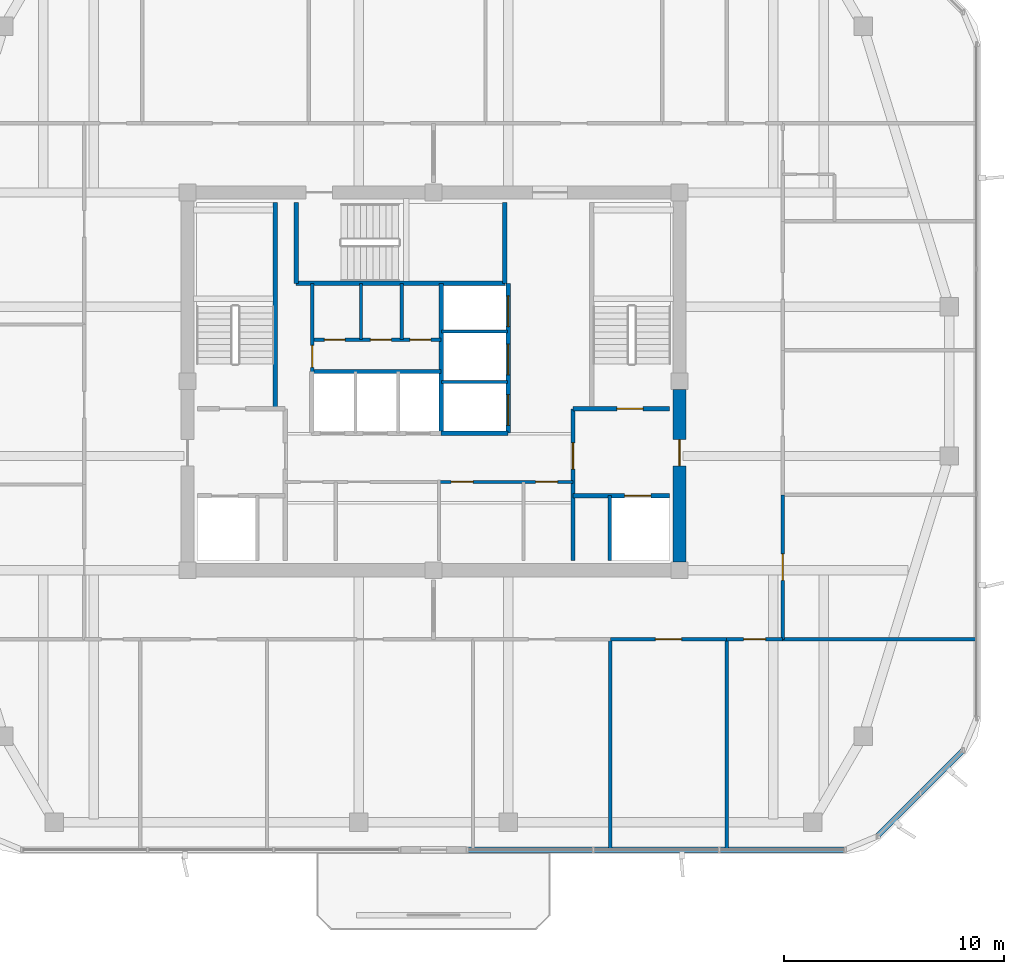
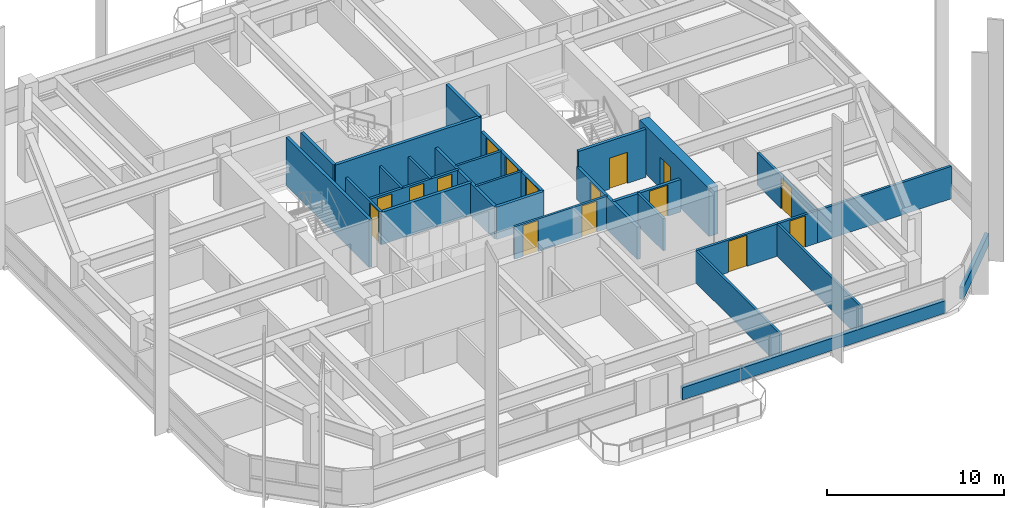
# One storey, part 8 of 13: 28 walls, 16 doors, 16 openings.
"""IFC4 building model written with IfcOpenShell, lengths in metres."""

import ifcopenshell
import ifcopenshell.guid

model = None  # the IFC model being written
_history = None  # IfcOwnerHistory: only IFC2X3 demands one
_inside = {}  # id of a spatial element -> (the spatial element, [elements in it])
_under = {}  # id of a project, library or spatial element -> (it, [spatial elements below it])
_declared = {}  # id of a project -> (the project, [libraries it declares])
_typed = {}  # id of a type object -> (the type object, [elements of that type])
_made_of = {}  # id of a material, layer set ... -> (it, [elements and type objects made of it])


def new_model(schema):
    """Start an empty IFC model of exactly this schema.

    Asked for "IFC4X3", IfcOpenShell would pick the latest addendum, in which some entities
    have other attributes; the version numbers below select the first issue.
    IFC2X3 requires an IfcOwnerHistory on every rooted entity: one is made here for all.
    """
    global model, _history
    if schema == "IFC4X3":
        model = ifcopenshell.file(schema_version=(4, 3, 0, 0))
    else:
        model = ifcopenshell.file(schema=schema)
    _inside.clear()
    _under.clear()
    _declared.clear()
    _typed.clear()
    _made_of.clear()
    _history = None
    if model.schema == "IFC2X3":
        org = make("IfcOrganization", Name="unknown")
        user = make(
            "IfcPersonAndOrganization",
            ThePerson=make("IfcPerson", FamilyName="unknown"),
            TheOrganization=org,
        )
        app = make(
            "IfcApplication",
            ApplicationDeveloper=org,
            Version="unknown",
            ApplicationFullName="unknown",
            ApplicationIdentifier="unknown",
        )
        _history = make(
            "IfcOwnerHistory",
            OwningUser=user,
            OwningApplication=app,
            ChangeAction="ADDED",
            CreationDate=0,
        )
    return model


def make(cls, **values):
    """One entity of the class cls with the attributes given. An attribute that is None is left unset."""
    return model.create_entity(
        cls, **{name: value for name, value in values.items() if value is not None}
    )


def rooted(cls, **values):
    """An entity with a GlobalId (a new one), such as an element, a storey or a relation."""
    return make(cls, GlobalId=ifcopenshell.guid.new(), OwnerHistory=_history, **values)


def si_unit(unit_type, name, prefix=None):
    """IfcSIUnit, for example si_unit("LENGTHUNIT", "METRE", prefix="MILLI")."""
    return make("IfcSIUnit", UnitType=unit_type, Prefix=prefix, Name=name)


def derived_unit(unit_type, elements):
    """IfcDerivedUnit: a product of units, each with its exponent."""
    return make(
        "IfcDerivedUnit",
        Elements=[
            make("IfcDerivedUnitElement", Unit=unit, Exponent=power)
            for unit, power in elements
        ],
        UnitType=unit_type,
    )


def assignment(units):
    """IfcUnitAssignment: the units of a project."""
    return None if units is None else make("IfcUnitAssignment", Units=units)


def point(xyz):
    """IfcCartesianPoint."""
    return None if xyz is None else make("IfcCartesianPoint", Coordinates=xyz)


def direction(xyz):
    """IfcDirection."""
    return None if xyz is None else make("IfcDirection", DirectionRatios=xyz)


def frame(location, z_axis=None, x_axis=None):
    """IfcAxis2Placement3D, a coordinate frame: its origin and axes. An axis left out is left unset."""
    return make(
        "IfcAxis2Placement3D",
        Location=point(location),
        Axis=direction(z_axis),
        RefDirection=direction(x_axis),
    )


def frame_2d(location, x_axis=None):
    """IfcAxis2Placement2D, a coordinate frame in the plane: its origin and x axis."""
    return make(
        "IfcAxis2Placement2D", Location=point(location), RefDirection=direction(x_axis)
    )


def origin():
    """The frame at (0, 0, 0) with its axes left unset."""
    return frame((0.0, 0.0, 0.0))


def place(relative_to, where):
    """IfcLocalPlacement: puts the frame where relative to a parent placement (None: the world)."""
    return make(
        "IfcLocalPlacement", PlacementRelTo=relative_to, RelativePlacement=where
    )


def context(
    kind, dimensions, precision=None, world=None, true_north=None, identifier=None
):
    """IfcGeometricRepresentationContext, for example the 3D "Model" context."""
    return make(
        "IfcGeometricRepresentationContext",
        ContextIdentifier=identifier,
        ContextType=kind,
        CoordinateSpaceDimension=dimensions,
        Precision=precision,
        WorldCoordinateSystem=world,
        TrueNorth=true_north,
    )


def subcontext(parent, identifier, kind, view, scale=None):
    """IfcGeometricRepresentationSubContext, for example "Body" below "Model"."""
    return make(
        "IfcGeometricRepresentationSubContext",
        ContextIdentifier=identifier,
        ContextType=kind,
        ParentContext=parent,
        TargetScale=scale,
        TargetView=view,
    )


def project(units=None, contexts=None):
    """IfcProject with its units and contexts."""
    return rooted(
        "IfcProject",
        Name="project",
        RepresentationContexts=contexts,
        UnitsInContext=assignment(units),
    )


def spatial(cls, under=None, at=None, **own):
    """A site, building, storey or space (cls), placed at a placement, below another one or the project."""
    s = rooted(cls, ObjectPlacement=at, **own)
    if under is not None:
        _under.setdefault(under.id(), (under, []))[1].append(s)
    return s


def profile(cls, at=None, kind="AREA", **sizes):
    """A parametric profile (cls). Its sizes go by their IFC names, for example OverallWidth=200.0."""
    return make(cls, ProfileType=kind, Position=at, **sizes)


def rectangle(**sizes):
    """IfcRectangleProfileDef."""
    return profile("IfcRectangleProfileDef", **sizes)


def extrude(swept, where, along, depth):
    """IfcExtrudedAreaSolid: the profile swept, set in the frame where, extruded along a direction by depth."""
    return make(
        "IfcExtrudedAreaSolid",
        SweptArea=swept,
        Position=where,
        ExtrudedDirection=direction(along),
        Depth=depth,
    )


def shape(context_of_items, identifier, shape_type, items):
    """IfcShapeRepresentation: the items that make up one representation, for example the "Body"."""
    return make(
        "IfcShapeRepresentation",
        ContextOfItems=context_of_items,
        RepresentationIdentifier=identifier,
        RepresentationType=shape_type,
        Items=items,
    )


def material(Name=None, Category=None):
    """IfcMaterial."""
    return make("IfcMaterial", Name=Name, Category=Category)


def layer(
    of_material, thickness, ventilated=None, Name=None, Category=None, Priority=None
):
    """IfcMaterialLayer: one layer of a wall or slab, of a material (None: an air gap)."""
    return make(
        "IfcMaterialLayer",
        Material=of_material,
        LayerThickness=thickness,
        IsVentilated=ventilated,
        Name=Name,
        Category=Category,
        Priority=Priority,
    )


def layer_set(layers, Name=None):
    """IfcMaterialLayerSet."""
    return make("IfcMaterialLayerSet", MaterialLayers=layers, LayerSetName=Name)


def made_of(thing, what):
    """Note that an element or type object is made of a material, layer set ...; save() writes the relation."""
    if what is not None:
        _made_of.setdefault(what.id(), (what, []))[1].append(thing)
    return thing


def type_object(cls, material=None, **own):
    """A type object (cls), such as IfcWallType, which elements share."""
    return made_of(rooted(cls, **own), material)


def element(
    cls,
    number,
    at=None,
    inside=None,
    cuts=None,
    type_object=None,
    material=None,
    context=None,
    identifier="Body",
    shape_type=None,
    held_by="IfcProductDefinitionShape",
    body=None,
    shapes=None,
    **own,
):
    """One element of the class cls, such as IfcWall. Its Tag is "e" and its number.

    at: its placement. inside: the storey or other place that contains it. cuts: it is an
    opening in that element (IfcRelVoidsElement). A single representation is given by context,
    identifier, shape_type and body (its items); several are given by shapes. held_by: the class
    of the entity that holds the representations. save() writes the other relations.
    """
    e = rooted(cls, Tag="e%d" % number, ObjectPlacement=at, **own)
    if body is not None:
        shapes = [shape(context, identifier, shape_type, body)]
    if shapes is not None:
        e.Representation = make(held_by, Representations=shapes)
    if inside is not None:
        _inside.setdefault(inside.id(), (inside, []))[1].append(e)
    if cuts is not None:
        rooted(
            "IfcRelVoidsElement", RelatingBuildingElement=cuts, RelatedOpeningElement=e
        )
    if type_object is not None:
        _typed.setdefault(type_object.id(), (type_object, []))[1].append(e)
    return made_of(e, material)


def fill(opening, filler):
    """IfcRelFillsElement: the door or window that sits in an opening."""
    return rooted(
        "IfcRelFillsElement",
        RelatingOpeningElement=opening,
        RelatedBuildingElement=filler,
    )


def aggregate(whole, parts):
    """IfcRelAggregates: a whole, such as a stair, and the parts it consists of."""
    return rooted("IfcRelAggregates", RelatingObject=whole, RelatedObjects=parts)


def save(model, path):
    """Write the relations noted so far, then the file.

    IfcRelAggregates (storeys below a building ...), IfcRelContainedInSpatialStructure (elements
    in a storey), IfcRelDefinesByType, IfcRelAssociatesMaterial and IfcRelDeclares: one each for
    every whole, place, type object, material and project.
    """
    for whole, parts in _under.values():
        aggregate(whole, parts)
    for where, things in _inside.values():
        rooted(
            "IfcRelContainedInSpatialStructure",
            RelatedElements=things,
            RelatingStructure=where,
        )
    for kind, things in _typed.values():
        rooted("IfcRelDefinesByType", RelatedObjects=things, RelatingType=kind)
    for what, things in _made_of.values():
        rooted("IfcRelAssociatesMaterial", RelatedObjects=things, RelatingMaterial=what)
    for by, libraries in _declared.values():
        rooted("IfcRelDeclares", RelatingContext=by, RelatedDefinitions=libraries)
    model.write(path)


model = new_model("IFC4")

# Units and contexts
model_context = context("Model", 3, precision=1e-05, world=origin(), true_north=direction((0.0, 1.0)))
body_context = subcontext(model_context, "Body", "Model", "MODEL_VIEW")
ifc_project = project(units=[si_unit("LENGTHUNIT", "METRE"), si_unit("AREAUNIT", "SQUARE_METRE"), si_unit("VOLUMEUNIT", "CUBIC_METRE"), si_unit("PLANEANGLEUNIT", "RADIAN"), si_unit("MASSUNIT", "GRAM", prefix="KILO"), derived_unit("THERMALTRANSMITTANCEUNIT", [(si_unit("POWERUNIT", "WATT"), 1), (si_unit("LENGTHUNIT", "METRE"), -2), (si_unit("THERMODYNAMICTEMPERATUREUNIT", "KELVIN"), -1)])], contexts=[model_context])

# Site, building, storey
site_placement = place(None, origin())
site = spatial("IfcSite", under=ifc_project, at=site_placement, CompositionType="ELEMENT")
building_placement = place(site_placement, origin())
building = spatial("IfcBuilding", under=site, at=building_placement, Name="Koralith Skygarden Medical Center", CompositionType="ELEMENT")
storey_placement = place(building_placement, frame((0.0, 0.0, 282.419921875)))
storey = spatial("IfcBuildingStorey", under=building, at=storey_placement, Name="L73", CompositionType="ELEMENT", Elevation=282.419921875)

# Wall, openings, doors
ifc_material_1 = material(Name="Gypsum Board Partition")
ifc_layer_1 = layer(ifc_material_1, 0.14990234375)
ifc_layer_set_1 = layer_set([ifc_layer_1], Name="Gypsum Board Partition")
wall_type_1 = type_object("IfcWallType", Name="Clinical Acoustic Partition 150", PredefinedType="PARTITIONING", material=ifc_layer_set_1)
wall_1_placement = place(storey_placement, frame((37.25, 21.320068359375, 0.0), z_axis=(0.0, 0.0, 1.0), x_axis=(1.0, 0.0, 0.0)))
wall_1 = element("IfcWall", 1, at=wall_1_placement, inside=storey, type_object=wall_type_1, Name="L73 Clinical Acoustic Partition 150 W-CORE-L73-FREED-MR-N", PredefinedType="PARTITIONING", context=body_context, shape_type="SweptSolid", body=[
    extrude(rectangle(XDim=6.10009765625, YDim=0.14990234375, at=frame_2d((3.050048828125, 0.0))), origin(), (0.0, 0.0, 1.0), 2.239990234375),
])
opening_1_placement = place(wall_1_placement, frame((0.550048828125, 0.0, 0.0)))
opening_1 = element("IfcOpeningElement", 2, at=opening_1_placement, cuts=wall_1, Name="Opening D-SUP", PredefinedType="OPENING", context=body_context, shape_type="SweptSolid", body=[
    extrude(rectangle(XDim=1.0, YDim=2.14990234375, at=frame_2d((0.5, 1.074951171875))), frame((0.0, 0.0849609375, 0.0), z_axis=(0.0, -1.0, 0.0), x_axis=(1.0, 0.0, 0.0)), (0.0, 0.0, 1.0), 0.169921875),
])
opening_2_placement = place(wall_1_placement, frame((4.39990234375, 0.0, 0.0)))
opening_2 = element("IfcOpeningElement", 3, at=opening_2_placement, cuts=wall_1, Name="Opening D-SUP", PredefinedType="OPENING", context=body_context, shape_type="SweptSolid", body=[
    extrude(rectangle(XDim=1.0, YDim=2.14990234375, at=frame_2d((0.5, 1.074951171875))), frame((0.0, 0.0849609375, 0.0), z_axis=(0.0, -1.0, 0.0), x_axis=(1.0, 0.0, 0.0)), (0.0, 0.0, 1.0), 0.169921875),
])
ifc_material_2 = material(Name="Aluminium 6063-T6", Category="aluminium")
door_type_1 = type_object("IfcDoorType", Name="Clinical Support Door D-SUP 1000", OperationType="NOTDEFINED", PredefinedType="DOOR", material=ifc_material_2)
door_1_placement = place(opening_1_placement, frame((1.0, 0.0, 0.0), z_axis=(0.0, 0.0, 1.0), x_axis=(-1.0, 0.0, 0.0)))
door_1 = element("IfcDoor", 4, at=door_1_placement, inside=storey, type_object=door_type_1, Name="L73 Satellite Pharmacy Door", OperationType="SINGLE_SWING_LEFT", OverallHeight=2.14990234375, OverallWidth=1.0, PredefinedType="DOOR", context=body_context, shape_type="SweptSolid", body=[
    extrude(rectangle(XDim=1.0, YDim=2.14990234375, at=frame_2d((0.5, 1.074951171875))), frame((0.0, 0.02490234375, 0.0), z_axis=(0.0, -1.0, 0.0), x_axis=(1.0, 0.0, 0.0)), (0.0, 0.0, 1.0), 0.050048828125),
])
fill(opening_1, door_1)
door_2_placement = place(opening_2_placement, frame((1.0, 0.0, 0.0), z_axis=(0.0, 0.0, 1.0), x_axis=(-1.0, 0.0, 0.0)))
door_2 = element("IfcDoor", 5, at=door_2_placement, inside=storey, type_object=door_type_1, Name="L73 Biomedical Equipment Door", OperationType="SINGLE_SWING_RIGHT", OverallHeight=2.14990234375, OverallWidth=1.0, PredefinedType="DOOR", context=body_context, shape_type="SweptSolid", body=[
    extrude(rectangle(XDim=1.0, YDim=2.14990234375, at=frame_2d((0.5, 1.074951171875))), frame((0.0, 0.02490234375, 0.0), z_axis=(0.0, -1.0, 0.0), x_axis=(1.0, 0.0, 0.0)), (0.0, 0.0, 1.0), 0.050048828125),
])
fill(opening_2, door_2)

# Walls
for number, where, z_axis, x_axis, name in (
    (6, (33.699951171875, 27.800048828125, 0.0), (0.0, 0.0, 1.0), (0.0, 1.0, 0.0), "L73 Clinical Acoustic Partition 150 W-CORE-L73-FLEX-V2A"),
    (7, (35.56005859375, 27.800048828125, 0.0), (0.0, 0.0, 1.0), (0.0, 1.0, 0.0), "L73 Clinical Acoustic Partition 150 W-CORE-L73-FLEX-V2B"),
):
    element("IfcWall", number, at=place(storey_placement, frame(where, z_axis=z_axis, x_axis=x_axis)), inside=storey, type_object=wall_type_1, Name=name, PredefinedType="PARTITIONING", context=body_context, shape_type="SweptSolid", body=[
        extrude(rectangle(XDim=2.56005859375, YDim=0.14990234375, at=frame_2d((1.280029296875, 0.0))), origin(), (0.0, 0.0, 1.0), 2.239990234375),
    ])
for number, where, z_axis, x_axis, name in (
    (8, (45.051025390625, 14.14990234375, 0.0), (0.0, 0.0, 1.0), (0.0, -1.0, 0.0), "L73 Clinical Acoustic Partition 150 W-PART-L73-S-04"),
    (9, (50.35009765625, 14.14990234375, 0.0), (0.0, 0.0, 1.0), (0.0, -1.0, 0.0), "L73 Clinical Acoustic Partition 150 W-PART-L73-S-05"),
):
    element("IfcWall", number, at=place(storey_placement, frame(where, z_axis=z_axis, x_axis=x_axis)), inside=storey, type_object=wall_type_1, Name=name, PredefinedType="PARTITIONING", context=body_context, shape_type="SweptSolid", body=[
        extrude(rectangle(XDim=9.5498046875, YDim=0.14990234375, at=frame_2d((4.77490234375, 0.0))), origin(), (0.0, 0.0, 1.0), 2.239990234375),
    ])
ifc_layer_2 = layer(ifc_material_1, 0.1650390625)
ifc_layer_set_2 = layer_set([ifc_layer_2], Name="Gypsum Board Partition")
wall_type_2 = type_object("IfcWallType", Name="Clinical Corridor Partition 165", PredefinedType="PARTITIONING", material=ifc_layer_set_2)
wall_2_placement = place(storey_placement, frame((52.89990234375, 14.14990234375, 0.0), z_axis=(0.0, 0.0, 1.0), x_axis=(1.0, 0.0, 0.0)))
element("IfcWall", 10, at=wall_2_placement, inside=storey, type_object=wall_type_2, Name="L73 Clinical Corridor Partition 165 W-WB-L73-SE", PredefinedType="PARTITIONING", context=body_context, shape_type="SweptSolid", body=[
    extrude(rectangle(XDim=8.800048828125, YDim=0.1650390625, at=frame_2d((4.39990234375, 0.0))), origin(), (0.0, 0.0, 1.0), 2.239990234375),
])

# Wall, opening, door
wall_3_placement = place(storey_placement, frame((45.051025390625, 14.14990234375, 0.0), z_axis=(0.0, 0.0, 1.0), x_axis=(1.0, 0.0, 0.0)))
wall_3 = element("IfcWall", 11, at=wall_3_placement, inside=storey, type_object=wall_type_2, Name="L73 Clinical Corridor Partition 165 W-CORR-L73-S-05", PredefinedType="PARTITIONING", context=body_context, shape_type="SweptSolid", body=[
    extrude(rectangle(XDim=5.299072265625, YDim=0.1650390625, at=frame_2d((2.6494140625, 0.0))), origin(), (0.0, 0.0, 1.0), 2.239990234375),
])
opening_3_placement = place(wall_3_placement, frame((2.049072265625, 0.0, 0.0)))
opening_3 = element("IfcOpeningElement", 12, at=opening_3_placement, cuts=wall_3, Name="Opening D-CLN", PredefinedType="OPENING", context=body_context, shape_type="SweptSolid", body=[
    extrude(rectangle(XDim=1.199951171875, YDim=2.14990234375, at=frame_2d((0.60009765625, 1.074951171875))), frame((0.0, 0.092529296875, 0.0), z_axis=(0.0, -1.0, 0.0), x_axis=(1.0, 0.0, 0.0)), (0.0, 0.0, 1.0), 0.18505859375),
])
door_type_2 = type_object("IfcDoorType", Name="Clinical Corridor Door D-CLN 1200", OperationType="NOTDEFINED", PredefinedType="DOOR", material=ifc_material_2)
door_3_placement = place(opening_3_placement, frame((1.199951171875, 0.0, 0.0), z_axis=(0.0, 0.0, 1.0), x_axis=(-1.0, 0.0, 0.0)))
door_3 = element("IfcDoor", 13, at=door_3_placement, inside=storey, type_object=door_type_2, Name="L73 Prosthetics Orthotics Supply Store 11 Door", OperationType="SINGLE_SWING_RIGHT", OverallHeight=2.14990234375, OverallWidth=1.199951171875, PredefinedType="DOOR", context=body_context, shape_type="SweptSolid", body=[
    extrude(rectangle(XDim=1.199951171875, YDim=2.14990234375, at=frame_2d((0.60009765625, 1.074951171875))), frame((0.0, 0.02490234375, 0.0), z_axis=(0.0, -1.0, 0.0), x_axis=(1.0, 0.0, 0.0)), (0.0, 0.0, 1.0), 0.050048828125),
])
fill(opening_3, door_3)

wall_4_placement = place(storey_placement, frame((50.35009765625, 14.14990234375, 0.0), z_axis=(0.0, 0.0, 1.0), x_axis=(1.0, 0.0, 0.0)))
wall_4 = element("IfcWall", 14, at=wall_4_placement, inside=storey, type_object=wall_type_2, Name="L73 Clinical Corridor Partition 165 W-CORR-L73-S-06", PredefinedType="PARTITIONING", context=body_context, shape_type="SweptSolid", body=[
    extrude(rectangle(XDim=2.5498046875, YDim=0.1650390625, at=frame_2d((1.27490234375, 0.0))), origin(), (0.0, 0.0, 1.0), 2.239990234375),
])
opening_4_placement = place(wall_4_placement, frame((0.77490234375, 0.0, 0.0)))
opening_4 = element("IfcOpeningElement", 15, at=opening_4_placement, cuts=wall_4, Name="Opening D-SUP", PredefinedType="OPENING", context=body_context, shape_type="SweptSolid", body=[
    extrude(rectangle(XDim=1.0, YDim=2.14990234375, at=frame_2d((0.5, 1.074951171875))), frame((0.0, 0.092529296875, 0.0), z_axis=(0.0, -1.0, 0.0), x_axis=(1.0, 0.0, 0.0)), (0.0, 0.0, 1.0), 0.18505859375),
])
door_4_placement = place(opening_4_placement, frame((1.0, 0.0, 0.0), z_axis=(0.0, 0.0, 1.0), x_axis=(-1.0, 0.0, 0.0)))
door_4 = element("IfcDoor", 16, at=door_4_placement, inside=storey, type_object=door_type_1, Name="L73 Amputee Mobility Gym Hall 12 Door", OperationType="SINGLE_SWING_LEFT", OverallHeight=2.14990234375, OverallWidth=1.0, PredefinedType="DOOR", context=body_context, shape_type="SweptSolid", body=[
    extrude(rectangle(XDim=1.0, YDim=2.14990234375, at=frame_2d((0.5, 1.074951171875))), frame((0.0, 0.02490234375, 0.0), z_axis=(0.0, -1.0, 0.0), x_axis=(1.0, 0.0, 0.0)), (0.0, 0.0, 1.0), 0.050048828125),
])
fill(opening_4, door_4)

wall_5_placement = place(storey_placement, frame((52.89990234375, 14.14990234375, 0.0), z_axis=(0.0, 0.0, 1.0), x_axis=(0.0, 1.0, 0.0)))
wall_5 = element("IfcWall", 17, at=wall_5_placement, inside=storey, type_object=wall_type_2, Name="L73 Clinical Corridor Partition 165 W-CORR-L73-E-01", PredefinedType="PARTITIONING", context=body_context, shape_type="SweptSolid", body=[
    extrude(rectangle(XDim=6.580078125, YDim=0.1650390625, at=frame_2d((3.2900390625, 0.0))), origin(), (0.0, 0.0, 1.0), 2.239990234375),
])
opening_5_placement = place(wall_5_placement, frame((2.68994140625, 0.0, 0.0)))
opening_5 = element("IfcOpeningElement", 18, at=opening_5_placement, cuts=wall_5, Name="Opening D-CLN", PredefinedType="OPENING", context=body_context, shape_type="SweptSolid", body=[
    extrude(rectangle(XDim=1.199951171875, YDim=2.14990234375, at=frame_2d((0.60009765625, 1.074951171875))), frame((0.0, 0.092529296875, 0.0), z_axis=(0.0, -1.0, 0.0), x_axis=(1.0, 0.0, 0.0)), (0.0, 0.0, 1.0), 0.18505859375),
])
door_5_placement = place(opening_5_placement, origin())
door_5 = element("IfcDoor", 19, at=door_5_placement, inside=storey, type_object=door_type_2, Name="L73 Amputee Mobility Gym Hall 16 Door", OperationType="SINGLE_SWING_LEFT", OverallHeight=2.14990234375, OverallWidth=1.199951171875, PredefinedType="DOOR", context=body_context, shape_type="SweptSolid", body=[
    extrude(rectangle(XDim=1.199951171875, YDim=2.14990234375, at=frame_2d((0.60009765625, 1.074951171875))), frame((0.0, 0.02490234375, 0.0), z_axis=(0.0, -1.0, 0.0), x_axis=(1.0, 0.0, 0.0)), (0.0, 0.0, 1.0), 0.050048828125),
])
fill(opening_5, door_5)

ifc_layer_3 = layer(ifc_material_1, 0.199951171875)
ifc_layer_set_3 = layer_set([ifc_layer_3], Name="Gypsum Board Partition")
wall_type_3 = type_object("IfcWallType", Name="Fire Shaft Wall 200", PredefinedType="SOLIDWALL", material=ifc_layer_set_3)
wall_6_placement = place(storey_placement, frame((43.35009765625, 20.699951171875, 0.0), z_axis=(0.0, 0.0, 1.0), x_axis=(1.0, 0.0, 0.0)))
wall_6 = element("IfcWall", 20, at=wall_6_placement, inside=storey, type_object=wall_type_3, Name="L73 Fire Shaft Wall 200 W-CORE-L73-FF2-N", PredefinedType="SOLIDWALL", context=body_context, shape_type="SweptSolid", body=[
    extrude(rectangle(XDim=4.39990234375, YDim=0.199951171875, at=frame_2d((2.199951171875, 0.0))), origin(), (0.0, 0.0, 1.0), 2.239990234375),
])
opening_6_placement = place(wall_6_placement, frame((2.35009765625, 0.0, 0.0)))
opening_6 = element("IfcOpeningElement", 21, at=opening_6_placement, cuts=wall_6, Name="Opening LD-FF", PredefinedType="OPENING", context=body_context, shape_type="SweptSolid", body=[
    extrude(rectangle(XDim=1.199951171875, YDim=2.14990234375, at=frame_2d((0.60009765625, 1.074951171875))), frame((0.0, 0.10986328125, 0.0), z_axis=(0.0, -1.0, 0.0), x_axis=(1.0, 0.0, 0.0)), (0.0, 0.0, 1.0), 0.219970703125),
])
ifc_material_3 = material(Name="Steel ASTM A500 Grade C", Category="steel")
door_type_3 = type_object("IfcDoorType", Name="Fire Lift Sliding Landing Door LD-FF 1200", OperationType="NOTDEFINED", PredefinedType="DOOR", material=ifc_material_3)
door_6_placement = place(opening_6_placement, origin())
door_6 = element("IfcDoor", 22, at=door_6_placement, inside=storey, type_object=door_type_3, Name="L73 Fire Service Elevator FF2 Landing Door", OperationType="SLIDING_TO_RIGHT", OverallHeight=2.14990234375, OverallWidth=1.199951171875, PredefinedType="DOOR", context=body_context, shape_type="SweptSolid", body=[
    extrude(rectangle(XDim=1.199951171875, YDim=2.14990234375, at=frame_2d((0.60009765625, 1.074951171875))), frame((0.0, 0.02490234375, 0.0), z_axis=(0.0, -1.0, 0.0), x_axis=(1.0, 0.0, 0.0)), (0.0, 0.0, 1.0), 0.050048828125),
])
fill(opening_6, door_6)

wall_7_placement = place(storey_placement, frame((43.35009765625, 17.75, 0.0), z_axis=(0.0, 0.0, 1.0), x_axis=(0.0, 1.0, 0.0)))
wall_7 = element("IfcWall", 23, at=wall_7_placement, inside=storey, type_object=wall_type_3, Name="L73 Fire Shaft Wall 200 W-CORE-L73-FSAEE-W", PredefinedType="SOLIDWALL", context=body_context, shape_type="SweptSolid", body=[
    extrude(rectangle(XDim=6.89990234375, YDim=0.199951171875, at=frame_2d((3.449951171875, 0.0))), origin(), (0.0, 0.0, 1.0), 2.239990234375),
])
opening_7_placement = place(wall_7_placement, frame((4.14990234375, 0.0, 0.0)))
opening_7 = element("IfcOpeningElement", 24, at=opening_7_placement, cuts=wall_7, Name="Opening D-ST60", PredefinedType="OPENING", context=body_context, shape_type="SweptSolid", body=[
    extrude(rectangle(XDim=1.199951171875, YDim=2.14990234375, at=frame_2d((0.60009765625, 1.074951171875))), frame((0.0, 0.10986328125, 0.0), z_axis=(0.0, -1.0, 0.0), x_axis=(1.0, 0.0, 0.0)), (0.0, 0.0, 1.0), 0.219970703125),
])
door_type_4 = type_object("IfcDoorType", Name="Smokeproof Stair Fire Door FD60S 1200", OperationType="NOTDEFINED", PredefinedType="DOOR", material=ifc_material_3)
door_7_placement = place(opening_7_placement, frame((1.199951171875, 0.0, 0.0), z_axis=(0.0, 0.0, 1.0), x_axis=(-1.0, 0.0, 0.0)))
door_7 = element("IfcDoor", 25, at=door_7_placement, inside=storey, type_object=door_type_4, Name="L73 East Firefighting Lobby Inner Fire Door", OperationType="SINGLE_SWING_RIGHT", OverallHeight=2.14990234375, OverallWidth=1.199951171875, PredefinedType="DOOR", context=body_context, shape_type="SweptSolid", body=[
    extrude(rectangle(XDim=1.199951171875, YDim=2.14990234375, at=frame_2d((0.60009765625, 1.074951171875))), frame((0.0, 0.02490234375, 0.0), z_axis=(0.0, -1.0, 0.0), x_axis=(1.0, 0.0, 0.0)), (0.0, 0.0, 1.0), 0.050048828125),
])
fill(opening_7, door_7)

# Walls
wall_8_placement = place(storey_placement, frame((31.449951171875, 26.35009765625, 0.0), z_axis=(0.0, 0.0, 1.0), x_axis=(1.0, 0.0, 0.0)))
element("IfcWall", 26, at=wall_8_placement, inside=storey, type_object=wall_type_3, Name="L73 Fire Shaft Wall 200 W-CORE-L73-PH-N", PredefinedType="SOLIDWALL", context=body_context, shape_type="SweptSolid", body=[
    extrude(rectangle(XDim=5.900146484375, YDim=0.199951171875, at=frame_2d((2.9501953125, 0.0))), origin(), (0.0, 0.0, 1.0), 2.239990234375),
])
wall_9_placement = place(storey_placement, frame((37.35009765625, 23.5400390625, 0.0), z_axis=(0.0, 0.0, 1.0), x_axis=(0.0, 1.0, 0.0)))
element("IfcWall", 27, at=wall_9_placement, inside=storey, type_object=wall_type_3, Name="L73 Fire Shaft Wall 200 W-CORE-L73-SV-W", PredefinedType="SOLIDWALL", context=body_context, shape_type="SweptSolid", body=[
    extrude(rectangle(XDim=6.820068359375, YDim=0.199951171875, at=frame_2d((3.41015625, 0.0))), origin(), (0.0, 0.0, 1.0), 2.239990234375),
])
wall_10_placement = place(storey_placement, frame((37.35009765625, 23.5400390625, 0.0), z_axis=(0.0, 0.0, 1.0), x_axis=(1.0, 0.0, 0.0)))
element("IfcWall", 28, at=wall_10_placement, inside=storey, type_object=wall_type_3, Name="L73 Fire Shaft Wall 200 W-CORE-L73-SV-S", PredefinedType="SOLIDWALL", context=body_context, shape_type="SweptSolid", body=[
    extrude(rectangle(XDim=3.0498046875, YDim=0.199951171875, at=frame_2d((1.52490234375, 0.0))), origin(), (0.0, 0.0, 1.0), 2.239990234375),
])

# Wall, openings, doors
wall_11_placement = place(storey_placement, frame((40.39990234375, 23.5400390625, 0.0), z_axis=(0.0, 0.0, 1.0), x_axis=(0.0, 1.0, 0.0)))
wall_11 = element("IfcWall", 29, at=wall_11_placement, inside=storey, type_object=wall_type_3, Name="L73 Fire Shaft Wall 200 W-CORE-L73-SV-E", PredefinedType="SOLIDWALL", context=body_context, shape_type="SweptSolid", body=[
    extrude(rectangle(XDim=6.820068359375, YDim=0.199951171875, at=frame_2d((3.41015625, 0.0))), origin(), (0.0, 0.0, 1.0), 2.239990234375),
])
opening_8_placement = place(wall_11_placement, frame((0.35009765625, 0.0, 0.0)))
opening_8 = element("IfcOpeningElement", 30, at=opening_8_placement, cuts=wall_11, Name="Opening LD-SV", PredefinedType="OPENING", context=body_context, shape_type="SweptSolid", body=[
    extrude(rectangle(XDim=1.39990234375, YDim=2.199951171875, at=frame_2d((0.699951171875, 1.10009765625))), frame((0.0, 0.10986328125, 0.0), z_axis=(0.0, -1.0, 0.0), x_axis=(1.0, 0.0, 0.0)), (0.0, 0.0, 1.0), 0.219970703125),
])
opening_9_placement = place(wall_11_placement, frame((2.64990234375, 0.0, 0.0)))
opening_9 = element("IfcOpeningElement", 31, at=opening_9_placement, cuts=wall_11, Name="Opening LD-SV", PredefinedType="OPENING", context=body_context, shape_type="SweptSolid", body=[
    extrude(rectangle(XDim=1.39990234375, YDim=2.199951171875, at=frame_2d((0.699951171875, 1.10009765625))), frame((0.0, 0.10986328125, 0.0), z_axis=(0.0, -1.0, 0.0), x_axis=(1.0, 0.0, 0.0)), (0.0, 0.0, 1.0), 0.219970703125),
])
opening_10_placement = place(wall_11_placement, frame((4.85009765625, 0.0, 0.0)))
opening_10 = element("IfcOpeningElement", 32, at=opening_10_placement, cuts=wall_11, Name="Opening LD-SV", PredefinedType="OPENING", context=body_context, shape_type="SweptSolid", body=[
    extrude(rectangle(XDim=1.39990234375, YDim=2.199951171875, at=frame_2d((0.699951171875, 1.10009765625))), frame((0.0, 0.10986328125, 0.0), z_axis=(0.0, -1.0, 0.0), x_axis=(1.0, 0.0, 0.0)), (0.0, 0.0, 1.0), 0.219970703125),
])
door_type_5 = type_object("IfcDoorType", Name="Bed Lift Sliding Landing Door LD-SV 1400", OperationType="NOTDEFINED", PredefinedType="DOOR", material=ifc_material_3)
door_8_placement = place(opening_8_placement, origin())
door_8 = element("IfcDoor", 33, at=door_8_placement, inside=storey, type_object=door_type_5, Name="L73 Bed Elevator BD1 Landing Door", OperationType="SLIDING_TO_LEFT", OverallHeight=2.199951171875, OverallWidth=1.39990234375, PredefinedType="DOOR", context=body_context, shape_type="SweptSolid", body=[
    extrude(rectangle(XDim=1.39990234375, YDim=2.199951171875, at=frame_2d((0.699951171875, 1.10009765625))), frame((0.0, 0.02490234375, 0.0), z_axis=(0.0, -1.0, 0.0), x_axis=(1.0, 0.0, 0.0)), (0.0, 0.0, 1.0), 0.050048828125),
])
fill(opening_8, door_8)
door_9_placement = place(opening_9_placement, origin())
door_9 = element("IfcDoor", 34, at=door_9_placement, inside=storey, type_object=door_type_5, Name="L73 Service Elevator BD2 Landing Door", OperationType="SLIDING_TO_LEFT", OverallHeight=2.199951171875, OverallWidth=1.39990234375, PredefinedType="DOOR", context=body_context, shape_type="SweptSolid", body=[
    extrude(rectangle(XDim=1.39990234375, YDim=2.199951171875, at=frame_2d((0.699951171875, 1.10009765625))), frame((0.0, 0.02490234375, 0.0), z_axis=(0.0, -1.0, 0.0), x_axis=(1.0, 0.0, 0.0)), (0.0, 0.0, 1.0), 0.050048828125),
])
fill(opening_9, door_9)
door_10_placement = place(opening_10_placement, origin())
door_10 = element("IfcDoor", 35, at=door_10_placement, inside=storey, type_object=door_type_5, Name="L73 Trauma Elevator TR1 Landing Door", OperationType="SLIDING_TO_RIGHT", OverallHeight=2.199951171875, OverallWidth=1.39990234375, PredefinedType="DOOR", context=body_context, shape_type="SweptSolid", body=[
    extrude(rectangle(XDim=1.39990234375, YDim=2.199951171875, at=frame_2d((0.699951171875, 1.10009765625))), frame((0.0, 0.02490234375, 0.0), z_axis=(0.0, -1.0, 0.0), x_axis=(1.0, 0.0, 0.0)), (0.0, 0.0, 1.0), 0.050048828125),
])
fill(opening_10, door_10)

# Walls
ifc_material_4 = material(Name="Warm Oolitic Limestone Cladding", Category="masonry")
ifc_layer_4 = layer(ifc_material_4, 0.239990234375)
ifc_layer_set_4 = layer_set([ifc_layer_4], Name="Warm Oolitic Limestone Cladding")
wall_type_4 = type_object("IfcWallType", Name="Limestone Spandrel Sill Backup Wall 240", PredefinedType="SOLIDWALL", material=ifc_layer_set_4)
wall_12_placement = place(storey_placement, frame((38.5390625, 4.580078125, 0.0), z_axis=(0.0, 0.0, 1.0), x_axis=(1.0, 0.0, 0.0)))
element("IfcWall", 36, at=wall_12_placement, inside=storey, type_object=wall_type_4, Name="L73 Sill Spandrel S-R", PredefinedType="SOLIDWALL", context=body_context, shape_type="SweptSolid", body=[
    extrude(rectangle(XDim=17.2060546875, YDim=0.239990234375, at=frame_2d((8.60302734375, 0.0))), origin(), (0.0, 0.0, 1.0), 0.85009765625),
])
wall_13_placement = place(storey_placement, frame((57.196044921875, 5.180908203125, 0.0), z_axis=(0.0, 0.0, 1.0), x_axis=(0.707084777957, 0.707128783731, 0.0)))
element("IfcWall", 37, at=wall_13_placement, inside=storey, type_object=wall_type_4, Name="L73 Sill Spandrel SE", PredefinedType="SOLIDWALL", context=body_context, shape_type="SweptSolid", body=[
    extrude(rectangle(XDim=5.5478515625, YDim=0.239990234375, at=frame_2d((2.77392578125, 0.0))), origin(), (0.0, 0.0, 1.0), 0.85009765625),
])

# Wall, opening, door
ifc_layer_5 = layer(ifc_material_1, 0.1650390625)
ifc_layer_set_5 = layer_set([ifc_layer_5], Name="Gypsum Board Partition")
wall_type_5 = type_object("IfcWallType", Name="Plumbing Wet Wall 165", PredefinedType="PLUMBINGWALL", material=ifc_layer_set_5)
wall_14_placement = place(storey_placement, frame((31.47998046875, 26.320068359375, 0.0), z_axis=(0.0, 0.0, 1.0), x_axis=(0.0, 1.0, 0.0)))
wall_14 = element("IfcWall", 38, at=wall_14_placement, inside=storey, type_object=wall_type_5, Name="L73 Plumbing Wet Wall 165 W-CORE-L73-FLEX-W", PredefinedType="PLUMBINGWALL", context=body_context, shape_type="SweptSolid", body=[
    extrude(rectangle(XDim=4.0400390625, YDim=0.1650390625, at=frame_2d((2.02001953125, 0.0))), origin(), (0.0, 0.0, 1.0), 2.239990234375),
])
opening_11_placement = place(wall_14_placement, frame((0.219970703125, 0.0, 0.0)))
opening_11 = element("IfcOpeningElement", 39, at=opening_11_placement, cuts=wall_14, Name="Opening D-SUP", PredefinedType="OPENING", context=body_context, shape_type="SweptSolid", body=[
    extrude(rectangle(XDim=1.0, YDim=2.14990234375, at=frame_2d((0.5, 1.074951171875))), frame((0.0, 0.092529296875, 0.0), z_axis=(0.0, -1.0, 0.0), x_axis=(1.0, 0.0, 0.0)), (0.0, 0.0, 1.0), 0.18505859375),
])
door_11_placement = place(opening_11_placement, frame((1.0, 0.0, 0.0), z_axis=(0.0, 0.0, 1.0), x_axis=(-1.0, 0.0, 0.0)))
door_11 = element("IfcDoor", 40, at=door_11_placement, inside=storey, type_object=door_type_1, Name="L73 Core Service Alcove Door", OperationType="SINGLE_SWING_LEFT", OverallHeight=2.14990234375, OverallWidth=1.0, PredefinedType="DOOR", context=body_context, shape_type="SweptSolid", body=[
    extrude(rectangle(XDim=1.0, YDim=2.14990234375, at=frame_2d((0.5, 1.074951171875))), frame((0.0, 0.02490234375, 0.0), z_axis=(0.0, -1.0, 0.0), x_axis=(1.0, 0.0, 0.0)), (0.0, 0.0, 1.0), 0.050048828125),
])
fill(opening_11, door_11)

# Wall, openings, doors
wall_15_placement = place(storey_placement, frame((31.47998046875, 27.800048828125, 0.0), z_axis=(0.0, 0.0, 1.0), x_axis=(1.0, 0.0, 0.0)))
wall_15 = element("IfcWall", 41, at=wall_15_placement, inside=storey, type_object=wall_type_5, Name="L73 Plumbing Wet Wall 165 W-CORE-L73-FLEX-H2", PredefinedType="PLUMBINGWALL", context=body_context, shape_type="SweptSolid", body=[
    extrude(rectangle(XDim=5.8701171875, YDim=0.1650390625, at=frame_2d((2.93505859375, 0.0))), origin(), (0.0, 0.0, 1.0), 2.239990234375),
])
opening_12_placement = place(wall_15_placement, frame((0.550048828125, 0.0, 0.0)))
opening_12 = element("IfcOpeningElement", 42, at=opening_12_placement, cuts=wall_15, Name="Opening D-WC", PredefinedType="OPENING", context=body_context, shape_type="SweptSolid", body=[
    extrude(rectangle(XDim=0.949951171875, YDim=2.10009765625, at=frame_2d((0.47509765625, 1.050048828125))), frame((0.0, 0.092529296875, 0.0), z_axis=(0.0, -1.0, 0.0), x_axis=(1.0, 0.0, 0.0)), (0.0, 0.0, 1.0), 0.18505859375),
])
opening_13_placement = place(wall_15_placement, frame((2.64990234375, 0.0, 0.0)))
opening_13 = element("IfcOpeningElement", 43, at=opening_13_placement, cuts=wall_15, Name="Opening D-WC", PredefinedType="OPENING", context=body_context, shape_type="SweptSolid", body=[
    extrude(rectangle(XDim=0.949951171875, YDim=2.10009765625, at=frame_2d((0.47509765625, 1.050048828125))), frame((0.0, 0.092529296875, 0.0), z_axis=(0.0, -1.0, 0.0), x_axis=(1.0, 0.0, 0.0)), (0.0, 0.0, 1.0), 0.18505859375),
])
opening_14_placement = place(wall_15_placement, frame((4.449951171875, 0.0, 0.0)))
opening_14 = element("IfcOpeningElement", 44, at=opening_14_placement, cuts=wall_15, Name="Opening D-WC", PredefinedType="OPENING", context=body_context, shape_type="SweptSolid", body=[
    extrude(rectangle(XDim=0.949951171875, YDim=2.10009765625, at=frame_2d((0.47509765625, 1.050048828125))), frame((0.0, 0.092529296875, 0.0), z_axis=(0.0, -1.0, 0.0), x_axis=(1.0, 0.0, 0.0)), (0.0, 0.0, 1.0), 0.18505859375),
])
door_type_6 = type_object("IfcDoorType", Name="Accessible Toilet Door D-WC 950", OperationType="NOTDEFINED", PredefinedType="DOOR", material=ifc_material_2)
door_12_placement = place(opening_12_placement, origin())
door_12 = element("IfcDoor", 45, at=door_12_placement, inside=storey, type_object=door_type_6, Name="L73 Core Accessible WC Door", OperationType="SINGLE_SWING_LEFT", OverallHeight=2.10009765625, OverallWidth=0.949951171875, PredefinedType="DOOR", context=body_context, shape_type="SweptSolid", body=[
    extrude(rectangle(XDim=0.949951171875, YDim=2.10009765625, at=frame_2d((0.47509765625, 1.050048828125))), frame((0.0, 0.02490234375, 0.0), z_axis=(0.0, -1.0, 0.0), x_axis=(1.0, 0.0, 0.0)), (0.0, 0.0, 1.0), 0.050048828125),
])
fill(opening_12, door_12)
door_13_placement = place(opening_13_placement, origin())
door_13 = element("IfcDoor", 46, at=door_13_placement, inside=storey, type_object=door_type_6, Name="L73 Soiled Sluice Door", OperationType="SINGLE_SWING_LEFT", OverallHeight=2.10009765625, OverallWidth=0.949951171875, PredefinedType="DOOR", context=body_context, shape_type="SweptSolid", body=[
    extrude(rectangle(XDim=0.949951171875, YDim=2.10009765625, at=frame_2d((0.47509765625, 1.050048828125))), frame((0.0, 0.02490234375, 0.0), z_axis=(0.0, -1.0, 0.0), x_axis=(1.0, 0.0, 0.0)), (0.0, 0.0, 1.0), 0.050048828125),
])
fill(opening_13, door_13)
door_14_placement = place(opening_14_placement, origin())
door_14 = element("IfcDoor", 47, at=door_14_placement, inside=storey, type_object=door_type_6, Name="L73 Clean Linen Store Door", OperationType="SINGLE_SWING_RIGHT", OverallHeight=2.10009765625, OverallWidth=0.949951171875, PredefinedType="DOOR", context=body_context, shape_type="SweptSolid", body=[
    extrude(rectangle(XDim=0.949951171875, YDim=2.10009765625, at=frame_2d((0.47509765625, 1.050048828125))), frame((0.0, 0.02490234375, 0.0), z_axis=(0.0, -1.0, 0.0), x_axis=(1.0, 0.0, 0.0)), (0.0, 0.0, 1.0), 0.050048828125),
])
fill(opening_14, door_14)

# Walls
ifc_layer_6 = layer(ifc_material_1, 0.14990234375)
ifc_layer_set_6 = layer_set([ifc_layer_6], Name="Gypsum Board Partition")
wall_type_6 = type_object("IfcWallType", Name="Shaft Partition Wall 150", PredefinedType="PARTITIONING", material=ifc_layer_set_6)
wall_16_placement = place(storey_placement, frame((45.02001953125, 17.75, 0.0), z_axis=(0.0, 0.0, 1.0), x_axis=(0.0, 1.0, 0.0)))
element("IfcWall", 48, at=wall_16_placement, inside=storey, type_object=wall_type_6, Name="L73 Shaft Partition Wall 150 W-CORE-L73-RSRE-DIV", PredefinedType="PARTITIONING", context=body_context, shape_type="SweptSolid", body=[
    extrude(rectangle(XDim=2.949951171875, YDim=0.14990234375, at=frame_2d((1.47509765625, 0.0))), origin(), (0.0, 0.0, 1.0), 2.239990234375),
])
for number, where, z_axis, x_axis, name in (
    (49, (37.3701171875, 25.8701171875, 0.0), (0.0, 0.0, 1.0), (1.0, 0.0, 0.0), "L73 Shaft Partition Wall 150 W-CORE-L73-SV-D1"),
    (50, (37.3701171875, 28.169921875, 0.0), (0.0, 0.0, 1.0), (1.0, 0.0, 0.0), "L73 Shaft Partition Wall 150 W-CORE-L73-SV-D2"),
):
    element("IfcWall", number, at=place(storey_placement, frame(where, z_axis=z_axis, x_axis=x_axis)), inside=storey, type_object=wall_type_6, Name=name, PredefinedType="PARTITIONING", context=body_context, shape_type="SweptSolid", body=[
        extrude(rectangle(XDim=3.009765625, YDim=0.14990234375, at=frame_2d((1.5048828125, 0.0))), origin(), (0.0, 0.0, 1.0), 2.239990234375),
    ])
ifc_material_5 = material(Name="Concrete C45/55", Category="concrete")
ifc_layer_7 = layer(ifc_material_5, 0.199951171875)
ifc_layer_set_7 = layer_set([ifc_layer_7], Name="Concrete C45/55")
wall_type_7 = type_object("IfcWallType", Name="Structural Stair Shaft Wall 200", PredefinedType="SHEAR", material=ifc_layer_set_7)
wall_17_placement = place(storey_placement, frame((29.800048828125, 24.64990234375, 0.0), z_axis=(0.0, 0.0, 1.0), x_axis=(0.0, 1.0, 0.0)))
element("IfcWall", 51, at=wall_17_placement, inside=storey, type_object=wall_type_7, Name="L73 Structural Stair Shaft Wall 200 W-CORE-L73-ST1-E", PredefinedType="SHEAR", context=body_context, shape_type="SweptSolid", body=[
    extrude(rectangle(XDim=9.400146484375, YDim=0.199951171875, at=frame_2d((4.7001953125, 0.0))), origin(), (0.0, 0.0, 1.0), 3.320068359375),
])

# Wall, opening, door
wall_18_placement = place(storey_placement, frame((43.35009765625, 24.64990234375, 0.0), z_axis=(0.0, 0.0, 1.0), x_axis=(1.0, 0.0, 0.0)))
wall_18 = element("IfcWall", 52, at=wall_18_placement, inside=storey, type_object=wall_type_7, Name="L73 Structural Stair Shaft Wall 200 W-CORE-L73-ST2-S", PredefinedType="SHEAR", context=body_context, shape_type="SweptSolid", body=[
    extrude(rectangle(XDim=4.39990234375, YDim=0.199951171875, at=frame_2d((2.199951171875, 0.0))), origin(), (0.0, 0.0, 1.0), 3.320068359375),
])
opening_15_placement = place(wall_18_placement, frame((2.0, 0.0, 0.0)))
opening_15 = element("IfcOpeningElement", 53, at=opening_15_placement, cuts=wall_18, Name="Opening D-ST60", PredefinedType="OPENING", context=body_context, shape_type="SweptSolid", body=[
    extrude(rectangle(XDim=1.199951171875, YDim=2.14990234375, at=frame_2d((0.60009765625, 1.074951171875))), frame((0.0, 0.10986328125, 0.0), z_axis=(0.0, -1.0, 0.0), x_axis=(1.0, 0.0, 0.0)), (0.0, 0.0, 1.0), 0.219970703125),
])
door_15_placement = place(opening_15_placement, origin())
door_15 = element("IfcDoor", 54, at=door_15_placement, inside=storey, type_object=door_type_4, Name="L73 Exit Stair ST2 Fire Door", OperationType="SINGLE_SWING_RIGHT", OverallHeight=2.14990234375, OverallWidth=1.199951171875, PredefinedType="DOOR", context=body_context, shape_type="SweptSolid", body=[
    extrude(rectangle(XDim=1.199951171875, YDim=2.14990234375, at=frame_2d((0.60009765625, 1.074951171875))), frame((0.0, 0.02490234375, 0.0), z_axis=(0.0, -1.0, 0.0), x_axis=(1.0, 0.0, 0.0)), (0.0, 0.0, 1.0), 0.050048828125),
])
fill(opening_15, door_15)

# Walls
wall_19_placement = place(storey_placement, frame((30.75, 30.360107421875, 0.0), z_axis=(0.0, 0.0, 1.0), x_axis=(1.0, 0.0, 0.0)))
element("IfcWall", 55, at=wall_19_placement, inside=storey, type_object=wall_type_7, Name="L73 Structural Stair Shaft Wall 200 W-CORE-L73-ST3-S", PredefinedType="SHEAR", context=body_context, shape_type="SweptSolid", body=[
    extrude(rectangle(XDim=9.5, YDim=0.199951171875, at=frame_2d((4.75, 0.0))), origin(), (0.0, 0.0, 1.0), 3.320068359375),
])
for number, where, z_axis, x_axis, name in (
    (56, (30.75, 30.360107421875, 0.0), (0.0, 0.0, 1.0), (0.0, 1.0, 0.0), "L73 Structural Stair Shaft Wall 200 W-CORE-L73-ST3-W"),
    (57, (40.25, 30.360107421875, 0.0), (0.0, 0.0, 1.0), (0.0, 1.0, 0.0), "L73 Structural Stair Shaft Wall 200 W-CORE-L73-ST3-E"),
):
    element("IfcWall", number, at=place(storey_placement, frame(where, z_axis=z_axis, x_axis=x_axis)), inside=storey, type_object=wall_type_7, Name=name, PredefinedType="SHEAR", context=body_context, shape_type="SweptSolid", body=[
        extrude(rectangle(XDim=3.68994140625, YDim=0.199951171875, at=frame_2d((1.844970703125, 0.0))), origin(), (0.0, 0.0, 1.0), 3.320068359375),
    ])

# Wall, opening, door
ifc_material_6 = material(Name="Concrete C55/67", Category="concrete")
ifc_layer_8 = layer(ifc_material_6, 0.60009765625)
ifc_layer_set_8 = layer_set([ifc_layer_8], Name="Concrete C55/67")
wall_type_8 = type_object("IfcWallType", Name="Upper Core Shear Wall 600", PredefinedType="SHEAR", material=ifc_layer_set_8)
wall_20_placement = place(storey_placement, frame((48.199951171875, 17.675048828125, 0.0), z_axis=(0.0, 0.0, 1.0), x_axis=(0.0, 1.0, 0.0)))
wall_20 = element("IfcWall", 58, at=wall_20_placement, inside=storey, type_object=wall_type_8, Name="L73 Core Shear Wall Segment 3", PredefinedType="SHEAR", context=body_context, shape_type="SweptSolid", body=[
    extrude(rectangle(XDim=7.849853515625, YDim=0.60009765625, at=frame_2d((3.9248046875, 0.0))), origin(), (0.0, 0.0, 1.0), 3.320068359375),
])
opening_16_placement = place(wall_20_placement, frame((4.375, 0.0, 0.0)))
opening_16 = element("IfcOpeningElement", 59, at=opening_16_placement, cuts=wall_20, Name="Opening D-ST60", PredefinedType="OPENING", context=body_context, shape_type="SweptSolid", body=[
    extrude(rectangle(XDim=1.199951171875, YDim=2.14990234375, at=frame_2d((0.60009765625, 1.074951171875))), frame((0.0, 0.31005859375, 0.0), z_axis=(0.0, -1.0, 0.0), x_axis=(1.0, 0.0, 0.0)), (0.0, 0.0, 1.0), 0.6201171875),
])
door_16_placement = place(opening_16_placement, frame((1.199951171875, 0.0, 0.0), z_axis=(0.0, 0.0, 1.0), x_axis=(-1.0, 0.0, 0.0)))
door_16 = element("IfcDoor", 60, at=door_16_placement, inside=storey, type_object=door_type_4, Name="L73 East Corridor to Firefighting Lobby Door", OperationType="SINGLE_SWING_RIGHT", OverallHeight=2.14990234375, OverallWidth=1.199951171875, PredefinedType="DOOR", context=body_context, shape_type="SweptSolid", body=[
    extrude(rectangle(XDim=1.199951171875, YDim=2.14990234375, at=frame_2d((0.60009765625, 1.074951171875))), frame((0.0, 0.02490234375, 0.0), z_axis=(0.0, -1.0, 0.0), x_axis=(1.0, 0.0, 0.0)), (0.0, 0.0, 1.0), 0.050048828125),
])
fill(opening_16, door_16)

save(model, "model.ifc")
